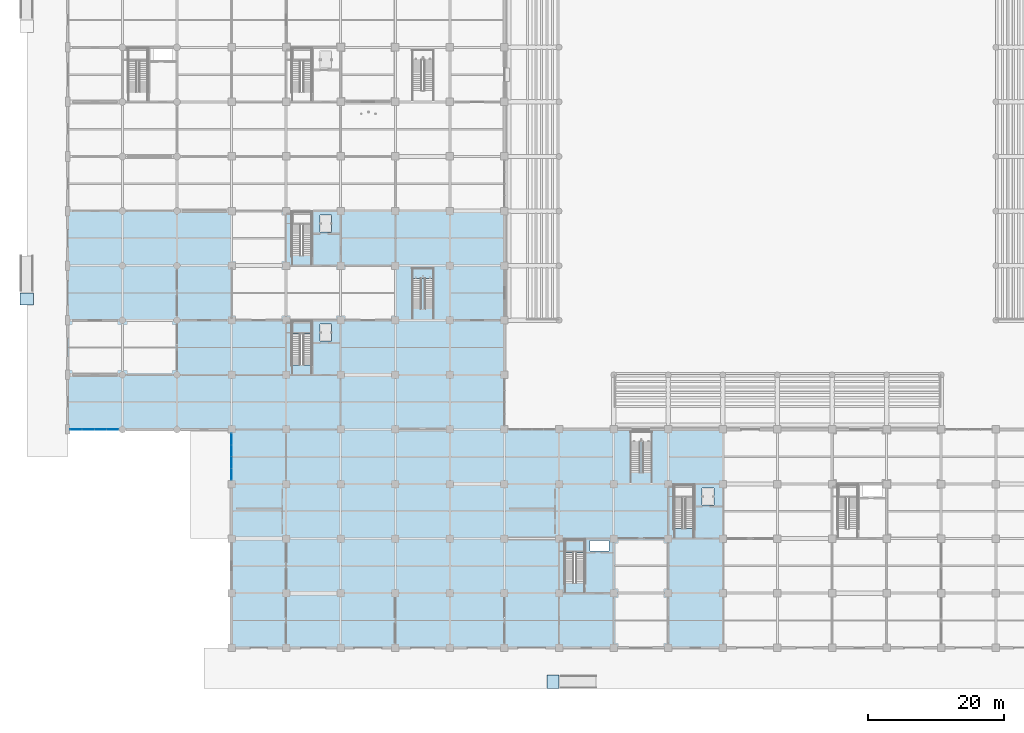
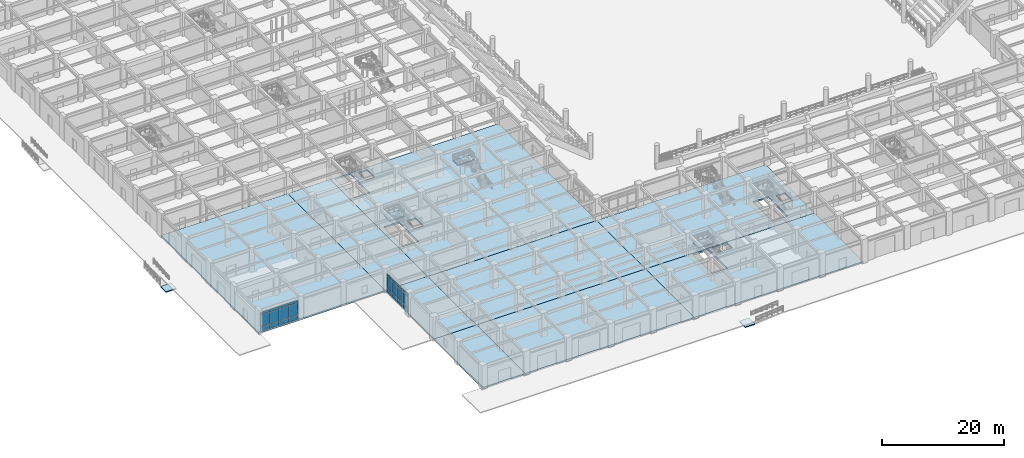
# One storey, part 57 of 125: 24 plates, 14 slabs, 5 elements without a shape of their own.
"""IFC4 building model written with IfcOpenShell, lengths in metres."""

from ifc_helpers import new_model, si_unit, direction, frame, origin, origin_2d, place, context, subcontext, project, spatial, polyline, rectangle, outline, extrude, material, layer, layer_set, type_object, element, aggregate, save


model = new_model("IFC4")

# Units and contexts
model_context = context("Model", 3, precision=1e-05, world=origin(), true_north=direction((0.0, 1.0)))
body_context = subcontext(model_context, "Body", "Model", "MODEL_VIEW")
ifc_project = project(units=[si_unit("LENGTHUNIT", "METRE"), si_unit("AREAUNIT", "SQUARE_METRE"), si_unit("VOLUMEUNIT", "CUBIC_METRE"), si_unit("PLANEANGLEUNIT", "RADIAN"), si_unit("MASSUNIT", "GRAM", prefix="KILO")], contexts=[model_context])

# Site, building, storey
site_placement = place(None, origin())
site = spatial("IfcSite", under=ifc_project, at=site_placement, CompositionType="ELEMENT")
building_placement = place(site_placement, origin())
building = spatial("IfcBuilding", under=site, at=building_placement, Name="Haebicheon Civic Stadium", CompositionType="ELEMENT")
storey_placement = place(building_placement, origin())
storey = spatial("IfcBuildingStorey", under=building, at=storey_placement, Name="L01", CompositionType="ELEMENT", Elevation=0.0)

# Curtain wall, plates
ifc_material_1 = material(Name="Anodised aluminium and laminated glass", Category="aluminium")
ifc_layer_1 = layer(ifc_material_1, 0.179931640625, Name="Anodised aluminium and laminated glass")
ifc_layer_set_1 = layer_set([ifc_layer_1], Name="Anodised aluminium and laminated glass")
curtain_wall_type_1 = type_object("IfcCurtainWallType", Name="CW-7200x3870", PredefinedType="NOTDEFINED", material=ifc_layer_set_1)
curtain_wall_1_placement = place(storey_placement, origin())
curtain_wall_1 = element("IfcCurtainWall", 1, at=curtain_wall_1_placement, inside=storey, type_object=curtain_wall_type_1, material=ifc_layer_set_1, Name="L01 unitised curtain wall 001", PredefinedType="NOTDEFINED")
ifc_material_2 = material(Name="Double low-e laminated glass", Category="glass")
ifc_layer_2 = layer(ifc_material_2, 0.028076171875, Name="Double low-e laminated glass")
ifc_layer_set_2 = layer_set([ifc_layer_2], Name="Double low-e laminated glass")
plate_type_1 = type_object("IfcPlateType", Name="CWP-GLZ-28", PredefinedType="CURTAIN_PANEL", material=ifc_layer_set_2)
plate_1_placement = place(storey_placement, frame((1.219970703125, 32.0, 0.93994140625), z_axis=(0.0, 0.0, 1.0), x_axis=(1.0, 0.0, 0.0)))
plate_1 = element("IfcPlate", 2, at=plate_1_placement, type_object=plate_type_1, material=ifc_layer_set_2, Name="CW-L01-001 vision panel 1.2", PredefinedType="CURTAIN_PANEL", context=body_context, shape_type="SweptSolid", body=[
    extrude(rectangle(XDim=1.679931640625, YDim=0.028076171875, at=origin_2d()), origin(), (0.0, 0.0, 1.0), 2.340087890625),
])
plate_2_placement = place(storey_placement, frame((3.0, 32.0, 0.93994140625), z_axis=(0.0, 0.0, 1.0), x_axis=(1.0, 0.0, 0.0)))
plate_2 = element("IfcPlate", 3, at=plate_2_placement, type_object=plate_type_1, material=ifc_layer_set_2, Name="CW-L01-001 vision panel 2.2", PredefinedType="CURTAIN_PANEL", context=body_context, shape_type="SweptSolid", body=[
    extrude(rectangle(XDim=1.719970703125, YDim=0.028076171875, at=origin_2d()), origin(), (0.0, 0.0, 1.0), 2.340087890625),
])
plate_3_placement = place(storey_placement, frame((4.800048828125, 32.0, 0.93994140625), z_axis=(0.0, 0.0, 1.0), x_axis=(1.0, 0.0, 0.0)))
plate_3 = element("IfcPlate", 4, at=plate_3_placement, type_object=plate_type_1, material=ifc_layer_set_2, Name="CW-L01-001 vision panel 3.2", PredefinedType="CURTAIN_PANEL", context=body_context, shape_type="SweptSolid", body=[
    extrude(rectangle(XDim=1.719970703125, YDim=0.028076171875, at=origin_2d()), origin(), (0.0, 0.0, 1.0), 2.340087890625),
])
plate_4_placement = place(storey_placement, frame((6.580078125, 32.0, 0.93994140625), z_axis=(0.0, 0.0, 1.0), x_axis=(1.0, 0.0, 0.0)))
plate_4 = element("IfcPlate", 5, at=plate_4_placement, type_object=plate_type_1, material=ifc_layer_set_2, Name="CW-L01-001 vision panel 4.2", PredefinedType="CURTAIN_PANEL", context=body_context, shape_type="SweptSolid", body=[
    extrude(rectangle(XDim=1.679931640625, YDim=0.028076171875, at=origin_2d()), origin(), (0.0, 0.0, 1.0), 2.340087890625),
])

ifc_material_3 = material(Name="Anodised aluminium and laminated glass", Category="aluminium")
ifc_layer_3 = layer(ifc_material_3, 0.179931640625, Name="Anodised aluminium and laminated glass")
ifc_layer_set_3 = layer_set([ifc_layer_3], Name="Anodised aluminium and laminated glass")
curtain_wall_type_2 = type_object("IfcCurtainWallType", Name="CW-6900x3770", PredefinedType="NOTDEFINED", material=ifc_layer_set_3)
curtain_wall_2_placement = place(storey_placement, origin())
curtain_wall_2 = element("IfcCurtainWall", 6, at=curtain_wall_2_placement, inside=storey, type_object=curtain_wall_type_2, material=ifc_layer_set_3, Name="L01 unitised curtain wall 002", PredefinedType="NOTDEFINED")
plate_5_placement = place(storey_placement, frame((24.0, 25.431884765625, 0.93994140625), z_axis=(0.0, 0.0, 1.0), x_axis=(0.0, 1.0, 0.0)))
plate_5 = element("IfcPlate", 7, at=plate_5_placement, type_object=plate_type_1, material=ifc_layer_set_2, Name="CW-L01-002 vision panel 1.2", PredefinedType="CURTAIN_PANEL", context=body_context, shape_type="SweptSolid", body=[
    extrude(rectangle(XDim=1.60498046875, YDim=0.028076171875, at=origin_2d()), origin(), (0.0, 0.0, 1.0), 2.239990234375),
])
plate_6_placement = place(storey_placement, frame((24.0, 27.137939453125, 0.93994140625), z_axis=(0.0, 0.0, 1.0), x_axis=(0.0, 1.0, 0.0)))
plate_6 = element("IfcPlate", 8, at=plate_6_placement, type_object=plate_type_1, material=ifc_layer_set_2, Name="CW-L01-002 vision panel 2.2", PredefinedType="CURTAIN_PANEL", context=body_context, shape_type="SweptSolid", body=[
    extrude(rectangle(XDim=1.64501953125, YDim=0.028076171875, at=origin_2d()), origin(), (0.0, 0.0, 1.0), 2.239990234375),
])
plate_7_placement = place(storey_placement, frame((24.0, 28.862060546875, 0.93994140625), z_axis=(0.0, 0.0, 1.0), x_axis=(0.0, 1.0, 0.0)))
plate_7 = element("IfcPlate", 9, at=plate_7_placement, type_object=plate_type_1, material=ifc_layer_set_2, Name="CW-L01-002 vision panel 3.2", PredefinedType="CURTAIN_PANEL", context=body_context, shape_type="SweptSolid", body=[
    extrude(rectangle(XDim=1.64501953125, YDim=0.028076171875, at=origin_2d()), origin(), (0.0, 0.0, 1.0), 2.239990234375),
])
plate_8_placement = place(storey_placement, frame((24.0, 30.568115234375, 0.93994140625), z_axis=(0.0, 0.0, 1.0), x_axis=(0.0, 1.0, 0.0)))
plate_8 = element("IfcPlate", 10, at=plate_8_placement, type_object=plate_type_1, material=ifc_layer_set_2, Name="CW-L01-002 vision panel 4.2", PredefinedType="CURTAIN_PANEL", context=body_context, shape_type="SweptSolid", body=[
    extrude(rectangle(XDim=1.60498046875, YDim=0.028076171875, at=origin_2d()), origin(), (0.0, 0.0, 1.0), 2.239990234375),
])

# Plate
ifc_material_4 = material(Name="Anodised aluminium 6063-T6", Category="aluminium")
ifc_layer_4 = layer(ifc_material_4, 0.0439453125, Name="Anodised aluminium 6063-T6")
ifc_layer_set_4 = layer_set([ifc_layer_4], Name="Anodised aluminium 6063-T6")
plate_type_2 = type_object("IfcPlateType", Name="CWP-SPD-44", PredefinedType="CURTAIN_PANEL", material=ifc_layer_set_4)
plate_9_placement = place(storey_placement, frame((1.219970703125, 32.0, 0.0400390625), z_axis=(0.0, 0.0, 1.0), x_axis=(1.0, 0.0, 0.0)))
plate_9 = element("IfcPlate", 11, at=plate_9_placement, type_object=plate_type_2, material=ifc_layer_set_4, Name="CW-L01-001 spandrel panel 1.1", PredefinedType="CURTAIN_PANEL", context=body_context, shape_type="SweptSolid", body=[
    extrude(rectangle(XDim=1.679931640625, YDim=0.0439453125, at=origin_2d()), origin(), (0.0, 0.0, 1.0), 0.820068359375),
])

plate_10_placement = place(storey_placement, frame((1.219970703125, 32.0, 3.35986328125), z_axis=(0.0, 0.0, 1.0), x_axis=(1.0, 0.0, 0.0)))
plate_10 = element("IfcPlate", 12, at=plate_10_placement, type_object=plate_type_2, material=ifc_layer_set_4, Name="CW-L01-001 spandrel panel 1.3", PredefinedType="CURTAIN_PANEL", context=body_context, shape_type="SweptSolid", body=[
    extrude(rectangle(XDim=1.679931640625, YDim=0.0439453125, at=origin_2d()), origin(), (0.0, 0.0, 1.0), 0.469970703125),
])

plate_11_placement = place(storey_placement, frame((3.0, 32.0, 0.0400390625), z_axis=(0.0, 0.0, 1.0), x_axis=(1.0, 0.0, 0.0)))
plate_11 = element("IfcPlate", 13, at=plate_11_placement, type_object=plate_type_2, material=ifc_layer_set_4, Name="CW-L01-001 spandrel panel 2.1", PredefinedType="CURTAIN_PANEL", context=body_context, shape_type="SweptSolid", body=[
    extrude(rectangle(XDim=1.719970703125, YDim=0.0439453125, at=origin_2d()), origin(), (0.0, 0.0, 1.0), 0.820068359375),
])

plate_12_placement = place(storey_placement, frame((3.0, 32.0, 3.35986328125), z_axis=(0.0, 0.0, 1.0), x_axis=(1.0, 0.0, 0.0)))
plate_12 = element("IfcPlate", 14, at=plate_12_placement, type_object=plate_type_2, material=ifc_layer_set_4, Name="CW-L01-001 spandrel panel 2.3", PredefinedType="CURTAIN_PANEL", context=body_context, shape_type="SweptSolid", body=[
    extrude(rectangle(XDim=1.719970703125, YDim=0.0439453125, at=origin_2d()), origin(), (0.0, 0.0, 1.0), 0.469970703125),
])

plate_13_placement = place(storey_placement, frame((4.800048828125, 32.0, 0.0400390625), z_axis=(0.0, 0.0, 1.0), x_axis=(1.0, 0.0, 0.0)))
plate_13 = element("IfcPlate", 15, at=plate_13_placement, type_object=plate_type_2, material=ifc_layer_set_4, Name="CW-L01-001 spandrel panel 3.1", PredefinedType="CURTAIN_PANEL", context=body_context, shape_type="SweptSolid", body=[
    extrude(rectangle(XDim=1.719970703125, YDim=0.0439453125, at=origin_2d()), origin(), (0.0, 0.0, 1.0), 0.820068359375),
])

plate_14_placement = place(storey_placement, frame((4.800048828125, 32.0, 3.35986328125), z_axis=(0.0, 0.0, 1.0), x_axis=(1.0, 0.0, 0.0)))
plate_14 = element("IfcPlate", 16, at=plate_14_placement, type_object=plate_type_2, material=ifc_layer_set_4, Name="CW-L01-001 spandrel panel 3.3", PredefinedType="CURTAIN_PANEL", context=body_context, shape_type="SweptSolid", body=[
    extrude(rectangle(XDim=1.719970703125, YDim=0.0439453125, at=origin_2d()), origin(), (0.0, 0.0, 1.0), 0.469970703125),
])

plate_15_placement = place(storey_placement, frame((6.580078125, 32.0, 0.0400390625), z_axis=(0.0, 0.0, 1.0), x_axis=(1.0, 0.0, 0.0)))
plate_15 = element("IfcPlate", 17, at=plate_15_placement, type_object=plate_type_2, material=ifc_layer_set_4, Name="CW-L01-001 spandrel panel 4.1", PredefinedType="CURTAIN_PANEL", context=body_context, shape_type="SweptSolid", body=[
    extrude(rectangle(XDim=1.679931640625, YDim=0.0439453125, at=origin_2d()), origin(), (0.0, 0.0, 1.0), 0.820068359375),
])

plate_16_placement = place(storey_placement, frame((6.580078125, 32.0, 3.35986328125), z_axis=(0.0, 0.0, 1.0), x_axis=(1.0, 0.0, 0.0)))
plate_16 = element("IfcPlate", 18, at=plate_16_placement, type_object=plate_type_2, material=ifc_layer_set_4, Name="CW-L01-001 spandrel panel 4.3", PredefinedType="CURTAIN_PANEL", context=body_context, shape_type="SweptSolid", body=[
    extrude(rectangle(XDim=1.679931640625, YDim=0.0439453125, at=origin_2d()), origin(), (0.0, 0.0, 1.0), 0.469970703125),
])

aggregate(curtain_wall_1, [plate_9, plate_1, plate_10, plate_11, plate_2, plate_12, plate_13, plate_3, plate_14, plate_15, plate_4, plate_16])

plate_17_placement = place(storey_placement, frame((24.0, 25.431884765625, 0.0400390625), z_axis=(0.0, 0.0, 1.0), x_axis=(0.0, 1.0, 0.0)))
plate_17 = element("IfcPlate", 19, at=plate_17_placement, type_object=plate_type_2, material=ifc_layer_set_4, Name="CW-L01-002 spandrel panel 1.1", PredefinedType="CURTAIN_PANEL", context=body_context, shape_type="SweptSolid", body=[
    extrude(rectangle(XDim=1.60498046875, YDim=0.0439453125, at=origin_2d()), origin(), (0.0, 0.0, 1.0), 0.820068359375),
])

plate_18_placement = place(storey_placement, frame((24.0, 25.431884765625, 3.26025390625), z_axis=(0.0, 0.0, 1.0), x_axis=(0.0, 1.0, 0.0)))
plate_18 = element("IfcPlate", 20, at=plate_18_placement, type_object=plate_type_2, material=ifc_layer_set_4, Name="CW-L01-002 spandrel panel 1.3", PredefinedType="CURTAIN_PANEL", context=body_context, shape_type="SweptSolid", body=[
    extrude(rectangle(XDim=1.60498046875, YDim=0.0439453125, at=origin_2d()), origin(), (0.0, 0.0, 1.0), 0.469970703125),
])

plate_19_placement = place(storey_placement, frame((24.0, 27.137939453125, 0.0400390625), z_axis=(0.0, 0.0, 1.0), x_axis=(0.0, 1.0, 0.0)))
plate_19 = element("IfcPlate", 21, at=plate_19_placement, type_object=plate_type_2, material=ifc_layer_set_4, Name="CW-L01-002 spandrel panel 2.1", PredefinedType="CURTAIN_PANEL", context=body_context, shape_type="SweptSolid", body=[
    extrude(rectangle(XDim=1.64501953125, YDim=0.0439453125, at=origin_2d()), origin(), (0.0, 0.0, 1.0), 0.820068359375),
])

plate_20_placement = place(storey_placement, frame((24.0, 27.137939453125, 3.26025390625), z_axis=(0.0, 0.0, 1.0), x_axis=(0.0, 1.0, 0.0)))
plate_20 = element("IfcPlate", 22, at=plate_20_placement, type_object=plate_type_2, material=ifc_layer_set_4, Name="CW-L01-002 spandrel panel 2.3", PredefinedType="CURTAIN_PANEL", context=body_context, shape_type="SweptSolid", body=[
    extrude(rectangle(XDim=1.64501953125, YDim=0.0439453125, at=origin_2d()), origin(), (0.0, 0.0, 1.0), 0.469970703125),
])

plate_21_placement = place(storey_placement, frame((24.0, 28.862060546875, 0.0400390625), z_axis=(0.0, 0.0, 1.0), x_axis=(0.0, 1.0, 0.0)))
plate_21 = element("IfcPlate", 23, at=plate_21_placement, type_object=plate_type_2, material=ifc_layer_set_4, Name="CW-L01-002 spandrel panel 3.1", PredefinedType="CURTAIN_PANEL", context=body_context, shape_type="SweptSolid", body=[
    extrude(rectangle(XDim=1.64501953125, YDim=0.0439453125, at=origin_2d()), origin(), (0.0, 0.0, 1.0), 0.820068359375),
])

plate_22_placement = place(storey_placement, frame((24.0, 28.862060546875, 3.26025390625), z_axis=(0.0, 0.0, 1.0), x_axis=(0.0, 1.0, 0.0)))
plate_22 = element("IfcPlate", 24, at=plate_22_placement, type_object=plate_type_2, material=ifc_layer_set_4, Name="CW-L01-002 spandrel panel 3.3", PredefinedType="CURTAIN_PANEL", context=body_context, shape_type="SweptSolid", body=[
    extrude(rectangle(XDim=1.64501953125, YDim=0.0439453125, at=origin_2d()), origin(), (0.0, 0.0, 1.0), 0.469970703125),
])

plate_23_placement = place(storey_placement, frame((24.0, 30.568115234375, 0.0400390625), z_axis=(0.0, 0.0, 1.0), x_axis=(0.0, 1.0, 0.0)))
plate_23 = element("IfcPlate", 25, at=plate_23_placement, type_object=plate_type_2, material=ifc_layer_set_4, Name="CW-L01-002 spandrel panel 4.1", PredefinedType="CURTAIN_PANEL", context=body_context, shape_type="SweptSolid", body=[
    extrude(rectangle(XDim=1.60498046875, YDim=0.0439453125, at=origin_2d()), origin(), (0.0, 0.0, 1.0), 0.820068359375),
])

plate_24_placement = place(storey_placement, frame((24.0, 30.568115234375, 3.26025390625), z_axis=(0.0, 0.0, 1.0), x_axis=(0.0, 1.0, 0.0)))
plate_24 = element("IfcPlate", 26, at=plate_24_placement, type_object=plate_type_2, material=ifc_layer_set_4, Name="CW-L01-002 spandrel panel 4.3", PredefinedType="CURTAIN_PANEL", context=body_context, shape_type="SweptSolid", body=[
    extrude(rectangle(XDim=1.60498046875, YDim=0.0439453125, at=origin_2d()), origin(), (0.0, 0.0, 1.0), 0.469970703125),
])

aggregate(curtain_wall_2, [plate_17, plate_5, plate_18, plate_19, plate_6, plate_20, plate_21, plate_7, plate_22, plate_23, plate_8, plate_24])

# Slabs
ifc_material_5 = material(Name="Concrete C40/50", Category="concrete")
ifc_layer_5 = layer(ifc_material_5, 0.300048828125, Name="Concrete C40/50")
ifc_layer_set_5 = layer_set([ifc_layer_5], Name="Concrete C40/50")
slab_type_1 = type_object("IfcSlabType", Name="SLB-FLR-300", PredefinedType="FLOOR", material=ifc_layer_set_5)
slab_1_placement = place(storey_placement, frame((0.0, 0.0, -0.300048828125)))
element("IfcSlab", 27, at=slab_1_placement, inside=storey, type_object=slab_type_1, material=ifc_layer_set_5, Name="L01 V1 structural slab 1.1", PredefinedType="FLOOR", context=body_context, shape_type="SweptSolid", body=[
    extrude(outline(polyline([(32.0, 16.0), (24.0, 16.0), (24.0, 24.0), (24.0, 32.0), (32.0, 32.0), (32.0, 24.0), (32.0, 16.0)])), origin(), (0.0, 0.0, 1.0), 0.300048828125),
])
slab_2_placement = place(storey_placement, frame((0.0, 0.0, -0.300048828125)))
element("IfcSlab", 28, at=slab_2_placement, inside=storey, type_object=slab_type_1, material=ifc_layer_set_5, Name="L01 V1 structural slab 2.1", PredefinedType="FLOOR", context=body_context, shape_type="SweptSolid", body=[
    extrude(outline(polyline([(24.0, 32.0), (24.0, 40.0), (24.0, 48.0), (24.0, 56.0), (24.0, 64.0), (32.0, 64.0), (32.0, 56.0), (32.0, 48.0), (32.0, 40.0), (32.0, 32.0), (24.0, 32.0)])), origin(), (0.0, 0.0, 1.0), 0.300048828125),
])
slab_3_placement = place(storey_placement, frame((0.0, 0.0, -0.300048828125)))
element("IfcSlab", 29, at=slab_3_placement, inside=storey, type_object=slab_type_1, material=ifc_layer_set_5, Name="L01 V1 structural slab 7.1", PredefinedType="FLOOR", context=body_context, shape_type="SweptSolid", body=[
    extrude(outline(polyline([(64.0, 16.0), (56.0, 16.0), (48.0, 16.0), (40.0, 16.0), (32.0, 16.0), (32.0, 24.0), (32.0, 32.0), (40.0, 32.0), (48.0, 32.0), (56.0, 32.0), (64.0, 32.0), (64.0, 24.0), (64.0, 16.0)])), origin(), (0.0, 0.0, 1.0), 0.300048828125),
])
slab_4_placement = place(storey_placement, frame((0.0, 0.0, -0.300048828125)))
element("IfcSlab", 30, at=slab_4_placement, inside=storey, type_object=slab_type_1, material=ifc_layer_set_5, Name="L01 V1 structural slab 8.1", PredefinedType="FLOOR", context=body_context, shape_type="SweptSolid", body=[
    extrude(outline(polyline([(32.0, 56.0), (32.0, 64.0), (40.0, 64.0), (48.0, 64.0), (56.0, 64.0), (64.0, 64.0), (64.0, 56.0), (64.0, 48.0), (64.0, 40.0), (64.0, 32.0), (56.0, 32.0), (48.0, 32.0), (40.0, 32.0), (32.0, 32.0), (32.0, 40.0), (32.0, 48.0), (32.0, 56.0)]), holes=[polyline([(32.840087890625, 41.4599609375), (35.739990234375, 41.4599609375), (35.739990234375, 47.840087890625), (32.840087890625, 47.840087890625), (32.840087890625, 41.4599609375)]), polyline([(36.969970703125, 44.929931640625), (38.669921875, 44.929931640625), (38.669921875, 47.429931640625), (36.969970703125, 47.429931640625), (36.969970703125, 44.929931640625)]), polyline([(32.840087890625, 57.4599609375), (35.739990234375, 57.4599609375), (35.739990234375, 63.840087890625), (32.840087890625, 63.840087890625), (32.840087890625, 57.4599609375)]), polyline([(36.969970703125, 60.929931640625), (38.669921875, 60.929931640625), (38.669921875, 63.429931640625), (36.969970703125, 63.429931640625), (36.969970703125, 60.929931640625)])]), origin(), (0.0, 0.0, 1.0), 0.300048828125),
])
slab_5_placement = place(storey_placement, frame((0.0, 0.0, -0.300048828125)))
element("IfcSlab", 31, at=slab_5_placement, inside=storey, type_object=slab_type_1, material=ifc_layer_set_5, Name="L01 V2 structural slab 1.1", PredefinedType="FLOOR", context=body_context, shape_type="SweptSolid", body=[
    extrude(outline(polyline([(96.0, 16.0), (88.0, 16.0), (80.0, 16.0), (72.0, 16.0), (64.0, 16.0), (64.0, 24.0), (64.0, 32.0), (72.0, 32.0), (80.0, 32.0), (88.0, 32.0), (96.0, 32.0), (96.0, 24.0), (96.0, 16.0)]), holes=[polyline([(88.840087890625, 17.4599609375), (91.739990234375, 17.4599609375), (91.739990234375, 23.840087890625), (88.840087890625, 23.840087890625), (88.840087890625, 17.4599609375)]), polyline([(92.969970703125, 20.929931640625), (94.669921875, 20.929931640625), (94.669921875, 23.429931640625), (92.969970703125, 23.429931640625), (92.969970703125, 20.929931640625)])]), origin(), (0.0, 0.0, 1.0), 0.300048828125),
])
slab_6_placement = place(storey_placement, frame((0.0, 0.0, -0.300048828125)))
element("IfcSlab", 32, at=slab_6_placement, inside=storey, type_object=slab_type_1, material=ifc_layer_set_5, Name="L01 V5 structural slab 1.1", PredefinedType="FLOOR", context=body_context, shape_type="SweptSolid", body=[
    extrude(outline(polyline([(0.0, 48.0), (0.0, 56.0), (0.0, 64.0), (8.0, 64.0), (16.0, 64.0), (24.0, 64.0), (24.0, 56.0), (24.0, 48.0), (24.0, 40.0), (24.0, 32.0), (16.0, 32.0), (8.0, 32.0), (0.0, 32.0), (0.0, 40.0), (0.0, 48.0)])), origin(), (0.0, 0.0, 1.0), 0.300048828125),
])
ifc_material_6 = material(Name="Concrete C40/50", Category="concrete")
ifc_layer_6 = layer(ifc_material_6, 0.35009765625, Name="Concrete C40/50")
ifc_layer_set_6 = layer_set([ifc_layer_6], Name="Concrete C40/50")
slab_type_2 = type_object("IfcSlabType", Name="SLB-FLR-350", PredefinedType="FLOOR", material=ifc_layer_set_6)
slab_7_placement = place(storey_placement, frame((0.0, 0.0, -0.35009765625)))
element("IfcSlab", 33, at=slab_7_placement, inside=storey, type_object=slab_type_2, material=ifc_layer_set_6, Name="L01 V6 structural slab 1.1", PredefinedType="FLOOR", context=body_context, shape_type="SweptSolid", body=[
    extrude(outline(polyline([(32.0, 0.0), (24.0, 0.0), (24.0, 8.0), (24.0, 16.0), (32.0, 16.0), (32.0, 8.0), (32.0, 0.0)])), origin(), (0.0, 0.0, 1.0), 0.35009765625),
])
slab_8_placement = place(storey_placement, frame((0.0, 0.0, -0.35009765625)))
element("IfcSlab", 34, at=slab_8_placement, inside=storey, type_object=slab_type_2, material=ifc_layer_set_6, Name="L01 V6 structural slab 2.1", PredefinedType="FLOOR", context=body_context, shape_type="SweptSolid", body=[
    extrude(outline(polyline([(64.0, 0.0), (56.0, 0.0), (48.0, 0.0), (40.0, 0.0), (32.0, 0.0), (32.0, 8.0), (32.0, 16.0), (40.0, 16.0), (48.0, 16.0), (56.0, 16.0), (64.0, 16.0), (64.0, 8.0), (64.0, 0.0)])), origin(), (0.0, 0.0, 1.0), 0.35009765625),
])
slab_9_placement = place(storey_placement, frame((0.0, 0.0, -0.35009765625)))
element("IfcSlab", 35, at=slab_9_placement, inside=storey, type_object=slab_type_2, material=ifc_layer_set_6, Name="L01 V6 structural slab 3.1", PredefinedType="FLOOR", context=body_context, shape_type="SweptSolid", body=[
    extrude(outline(polyline([(96.0, 0.0), (88.0, 0.0), (80.0, 0.0), (72.0, 0.0), (64.0, 0.0), (64.0, 8.0), (64.0, 16.0), (72.0, 16.0), (80.0, 16.0), (88.0, 16.0), (96.0, 16.0), (96.0, 8.0), (96.0, 0.0)]), holes=[polyline([(72.840087890625, 9.4599609375), (75.739990234375, 9.4599609375), (75.739990234375, 15.840087890625), (72.840087890625, 15.840087890625), (72.840087890625, 9.4599609375)]), polyline([(76.550048828125, 14.14990234375), (79.35009765625, 14.14990234375), (79.35009765625, 15.75), (76.550048828125, 15.75), (76.550048828125, 14.14990234375)])]), origin(), (0.0, 0.0, 1.0), 0.35009765625),
])

# Stair, slab
ifc_material_7 = material(Name="Concrete C40/50", Category="concrete")
stair_type_1 = type_object("IfcStairType", Name="STR-DL-W126-H48", PredefinedType="HALF_TURN_STAIR", material=ifc_material_7)
stair_1_placement = place(storey_placement, origin())
stair_1 = element("IfcStair", 36, at=stair_1_placement, inside=storey, type_object=stair_type_1, material=ifc_material_7, Name="L01 Escape stair ST-01", PredefinedType="HALF_TURN_STAIR")
ifc_material_8 = material(Name="Concrete C40/50", Category="concrete")
ifc_layer_7 = layer(ifc_material_8, 0.199951171875, Name="Concrete C40/50")
ifc_layer_set_7 = layer_set([ifc_layer_7], Name="Concrete C40/50")
slab_type_3 = type_object("IfcSlabType", Name="SLB-LND-200", PredefinedType="LANDING", material=ifc_layer_set_7)
slab_10_placement = place(storey_placement, frame((0.0, 0.0, 2.199951171875)))
slab_10 = element("IfcSlab", 37, at=slab_10_placement, type_object=slab_type_3, material=ifc_layer_set_7, Name="ST-01 landing 1", PredefinedType="LANDING", context=body_context, shape_type="SweptSolid", body=[
    extrude(outline(polyline([(35.739990234375, 45.949951171875), (35.739990234375, 47.840087890625), (32.840087890625, 47.840087890625), (32.840087890625, 45.949951171875), (35.739990234375, 45.949951171875)])), origin(), (0.0, 0.0, 1.0), 0.199951171875),
])
aggregate(stair_1, [slab_10])

ifc_material_9 = material(Name="Concrete C40/50", Category="concrete")
stair_type_2 = type_object("IfcStairType", Name="STR-DL-W128-H48", PredefinedType="HALF_TURN_STAIR", material=ifc_material_9)
stair_2_placement = place(storey_placement, origin())
stair_2 = element("IfcStair", 38, at=stair_2_placement, inside=storey, type_object=stair_type_2, material=ifc_material_9, Name="L01 Escape stair ST-16", PredefinedType="HALF_TURN_STAIR")
slab_11_placement = place(storey_placement, frame((0.0, 0.0, 2.199951171875)))
slab_11 = element("IfcSlab", 39, at=slab_11_placement, type_object=slab_type_3, material=ifc_layer_set_7, Name="ST-16 landing 1", PredefinedType="LANDING", context=body_context, shape_type="SweptSolid", body=[
    extrude(outline(polyline([(75.739990234375, 13.949951171875), (75.739990234375, 15.840087890625), (72.840087890625, 15.840087890625), (72.840087890625, 13.949951171875), (75.739990234375, 13.949951171875)])), origin(), (0.0, 0.0, 1.0), 0.199951171875),
])
aggregate(stair_2, [slab_11])

ifc_material_10 = material(Name="Concrete C40/50", Category="concrete")
stair_type_3 = type_object("IfcStairType", Name="STR-DL-W136-H48", PredefinedType="HALF_TURN_STAIR", material=ifc_material_10)
stair_3_placement = place(storey_placement, origin())
stair_3 = element("IfcStair", 40, at=stair_3_placement, inside=storey, type_object=stair_type_3, material=ifc_material_10, Name="Vomitory stair VM-01 (L01)", PredefinedType="HALF_TURN_STAIR")
slab_12_placement = place(storey_placement, frame((0.0, 0.0, 2.199951171875)))
slab_12 = element("IfcSlab", 41, at=slab_12_placement, type_object=slab_type_3, material=ifc_layer_set_7, Name="VM-01 landing 1", PredefinedType="LANDING", context=body_context, shape_type="SweptSolid", body=[
    extrude(outline(polyline([(53.639892578125, 54.14990234375), (53.639892578125, 55.64990234375), (50.4599609375, 55.64990234375), (50.4599609375, 54.14990234375), (53.639892578125, 54.14990234375)])), origin(), (0.0, 0.0, 1.0), 0.199951171875),
])
aggregate(stair_3, [slab_12])

# Slabs
ifc_material_11 = material(Name="Precast concrete C35/45", Category="concrete")
ifc_layer_8 = layer(ifc_material_11, 0.199951171875, Name="Precast concrete C35/45")
ifc_layer_set_8 = layer_set([ifc_layer_8], Name="Precast concrete C35/45")
slab_type_4 = type_object("IfcSlabType", Name="SLB-PAV-200", PredefinedType="BASESLAB", material=ifc_layer_set_8)
slab_13_placement = place(storey_placement, frame((0.0, 0.0, -0.64990234375)))
element("IfcSlab", 42, at=slab_13_placement, inside=storey, type_object=slab_type_4, material=ifc_layer_set_8, Name="Exterior paving ramp landing RMP-01", PredefinedType="BASESLAB", context=body_context, shape_type="SweptSolid", body=[
    extrude(outline(polyline([(-7.0, 50.199951171875), (-5.0, 50.199951171875), (-5.0, 52.0), (-7.0, 52.0), (-7.0, 50.199951171875)])), origin(), (0.0, 0.0, 1.0), 0.199951171875),
])
slab_14_placement = place(storey_placement, frame((0.0, 0.0, -0.64990234375)))
element("IfcSlab", 43, at=slab_14_placement, inside=storey, type_object=slab_type_4, material=ifc_layer_set_8, Name="Exterior paving ramp landing RMP-06", PredefinedType="BASESLAB", context=body_context, shape_type="SweptSolid", body=[
    extrude(outline(polyline([(70.199951171875, -6.0), (72.0, -6.0), (72.0, -4.0), (70.199951171875, -4.0), (70.199951171875, -6.0)])), origin(), (0.0, 0.0, 1.0), 0.199951171875),
])

save(model, "model.ifc")
